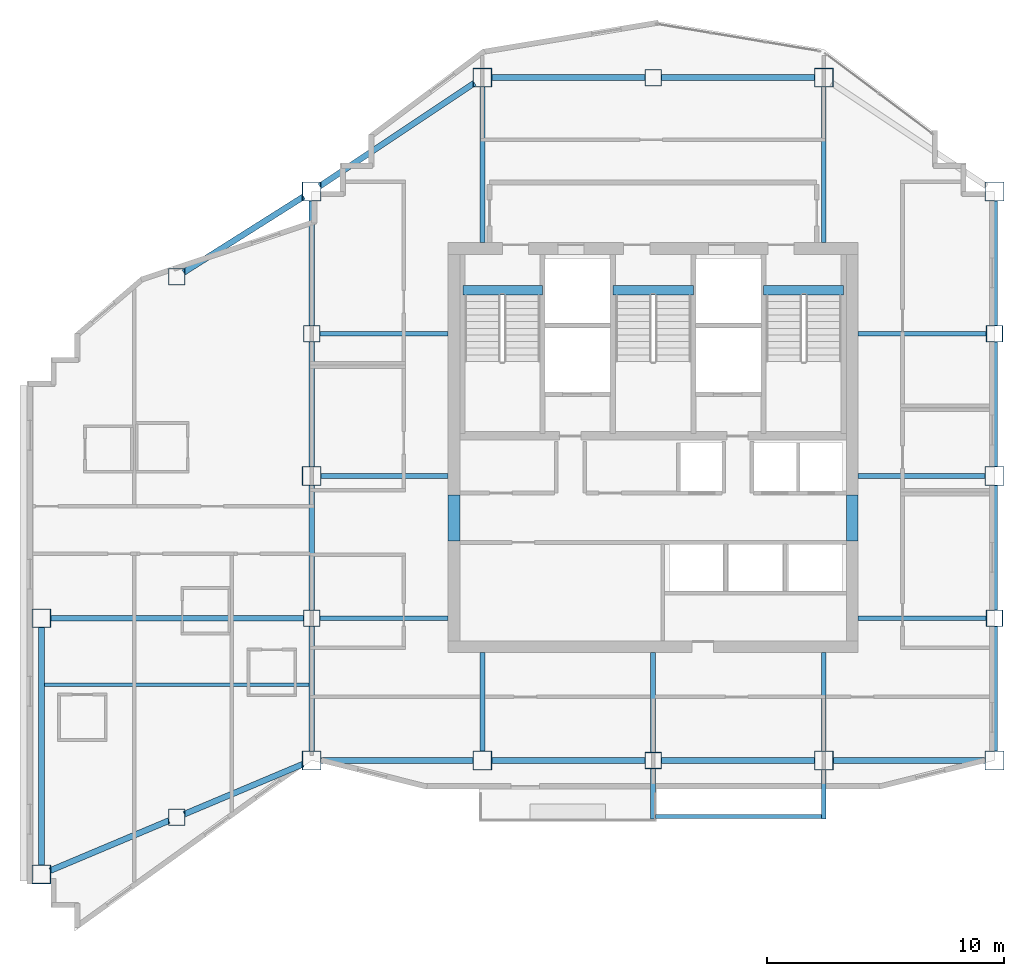
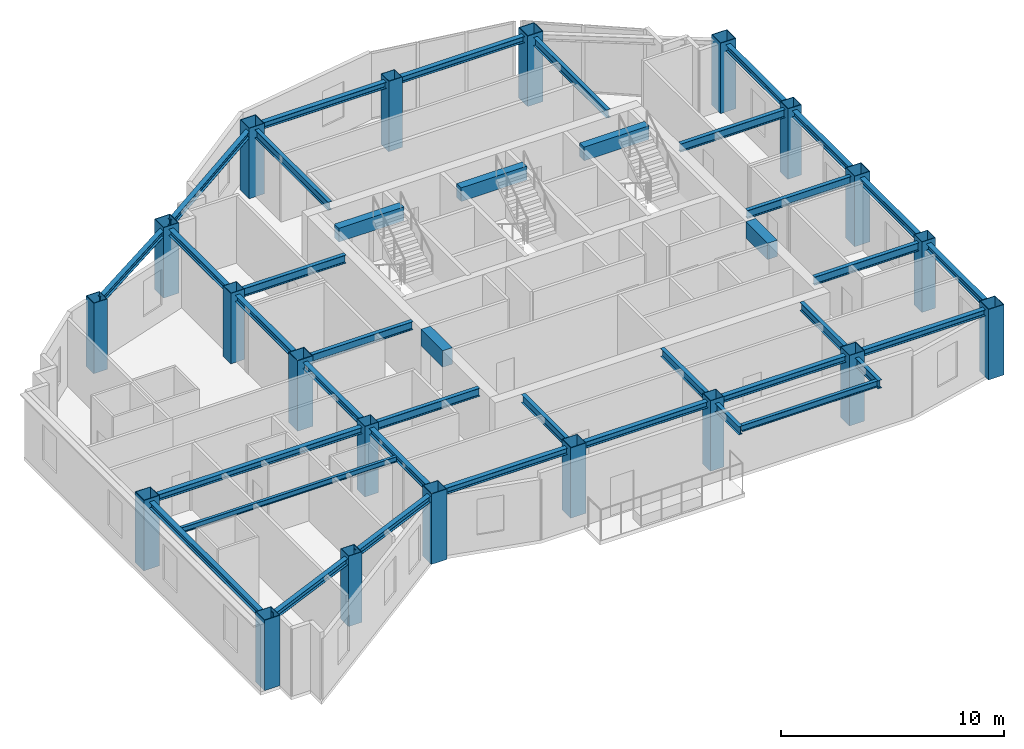
# One storey, part 1 of 10: 40 beams, 20 columns.
"""IFC4 building model written with IfcOpenShell, lengths in metres."""

from ifc_helpers import new_model, si_unit, direction, frame, origin, origin_2d, place, context, subcontext, project, spatial, rectangle, hollow_rectangle, i_section, extrude, material, material_profile, profile_set, type_object, element, save


model = new_model("IFC4")

# Units and contexts
model_context = context("Model", 3, precision=1e-05, world=origin(), true_north=direction((0.0, 1.0)))
body_context = subcontext(model_context, "Body", "Model", "MODEL_VIEW")
ifc_project = project(units=[si_unit("LENGTHUNIT", "METRE"), si_unit("AREAUNIT", "SQUARE_METRE"), si_unit("VOLUMEUNIT", "CUBIC_METRE"), si_unit("PLANEANGLEUNIT", "RADIAN"), si_unit("MASSUNIT", "GRAM", prefix="KILO")], contexts=[model_context])

# Site, building, storey
site_placement = place(None, origin())
site = spatial("IfcSite", under=ifc_project, at=site_placement, CompositionType="ELEMENT")
building_placement = place(site_placement, origin())
building = spatial("IfcBuilding", under=site, at=building_placement, Name="Haolan Belvedere Tower", CompositionType="ELEMENT")
storey_placement = place(building_placement, frame((0.0, 0.0, 266.0)))
storey = spatial("IfcBuildingStorey", under=building, at=storey_placement, Name="L67", CompositionType="ELEMENT", Elevation=266.0)

# Columns
ifc_material_1 = material(Name="Steel Q390GJC", Category="steel")
ifc_material_profile_1 = material_profile(ifc_material_1, hollow_rectangle(XDim=0.699951171875, YDim=0.699951171875, WallThickness=0.02587890625, at=origin_2d()), Name="Steel Q390GJC")
ifc_profile_set_1 = profile_set([ifc_material_profile_1], Name="Steel Q390GJC")
column_type_1 = type_object("IfcColumnType", Name="COL-BOX700x700x26", PredefinedType="COLUMN", material=ifc_profile_set_1)
for number, where, z_axis, x_axis, name in (
    (1, (24.0, 27.60009765625, 0.0), (0.0, 0.0, 1.0), (1.0, 0.0, 0.0), "L67 column TC-T3-W1 (BOX700x700x26)"),
    (2, (24.0, 39.60009765625, 0.0), (0.0, 0.0, 1.0), (1.0, 0.0, 0.0), "L67 column TC-T3-W2 (BOX700x700x26)"),
    (3, (52.800048828125, 27.60009765625, 0.0), (0.0, 0.0, 1.0), (1.0, 0.0, 0.0), "L67 column TC-T3-E1 (BOX700x700x26)"),
    (4, (52.800048828125, 39.60009765625, 0.0), (0.0, 0.0, 1.0), (1.0, 0.0, 0.0), "L67 column TC-T3-E2 (BOX700x700x26)"),
    (5, (38.39990234375, 21.60009765625, 0.0), (0.0, 0.0, 1.0), (1.0, 0.0, 0.0), "L67 column TC-T3-SM (BOX700x700x26)"),
    (6, (38.39990234375, 50.39990234375, 0.0), (0.0, 0.0, 1.0), (1.0, 0.0, 0.0), "L67 column TC-T3-NM (BOX700x700x26)"),
    (7, (18.300048828125, 19.199951171875, 0.0), (0.0, 0.0, 1.0), (1.0, 0.0, 0.0), "L67 column TC-T2-S1 (BOX700x700x26)"),
    (8, (18.300048828125, 42.0, 0.0), (0.0, 0.0, 1.0), (1.0, 0.0, 0.0), "L67 column TC-T2-N1 (BOX700x700x26)"),
):
    element("IfcColumn", number, at=place(storey_placement, frame(where, z_axis=z_axis, x_axis=x_axis)), inside=storey, type_object=column_type_1, Name=name, PredefinedType="COLUMN", context=body_context, shape_type="SweptSolid", body=[
        extrude(hollow_rectangle(XDim=0.699951171875, YDim=0.699951171875, WallThickness=0.02587890625, at=origin_2d()), origin(), (0.0, 0.0, 1.0), 3.85009765625),
    ])
ifc_material_profile_2 = material_profile(ifc_material_1, hollow_rectangle(XDim=0.800048828125, YDim=0.800048828125, WallThickness=0.030029296875, at=origin_2d()), Name="Steel Q390GJC")
ifc_profile_set_2 = profile_set([ifc_material_profile_2], Name="Steel Q390GJC")
column_type_2 = type_object("IfcColumnType", Name="COL-BOX800x800x30", PredefinedType="COLUMN", material=ifc_profile_set_2)
for number, where, z_axis, x_axis, name in (
    (9, (24.0, 21.60009765625, 0.0), (0.0, 0.0, 1.0), (1.0, 0.0, 0.0), "L67 column MC-T3-SW (BOX800x800x30)"),
    (10, (24.0, 33.60009765625, 0.0), (0.0, 0.0, 1.0), (1.0, 0.0, 0.0), "L67 column MC-T3-MW (BOX800x800x30)"),
    (11, (24.0, 45.60009765625, 0.0), (0.0, 0.0, 1.0), (1.0, 0.0, 0.0), "L67 column MC-T3-NW (BOX800x800x30)"),
    (12, (52.800048828125, 21.60009765625, 0.0), (0.0, 0.0, 1.0), (1.0, 0.0, 0.0), "L67 column MC-T3-SE (BOX800x800x30)"),
    (13, (52.800048828125, 33.60009765625, 0.0), (0.0, 0.0, 1.0), (1.0, 0.0, 0.0), "L67 column MC-T3-ME (BOX800x800x30)"),
    (14, (52.800048828125, 45.60009765625, 0.0), (0.0, 0.0, 1.0), (1.0, 0.0, 0.0), "L67 column MC-T3-NE (BOX800x800x30)"),
    (15, (31.199951171875, 21.60009765625, 0.0), (0.0, 0.0, 1.0), (1.0, 0.0, 0.0), "L67 column MC-T3-S1 (BOX800x800x30)"),
    (16, (45.60009765625, 21.60009765625, 0.0), (0.0, 0.0, 1.0), (1.0, 0.0, 0.0), "L67 column MC-T3-S2 (BOX800x800x30)"),
    (17, (31.199951171875, 50.39990234375, 0.0), (0.0, 0.0, 1.0), (1.0, 0.0, 0.0), "L67 column MC-T3-N1 (BOX800x800x30)"),
    (18, (45.60009765625, 50.39990234375, 0.0), (0.0, 0.0, 1.0), (1.0, 0.0, 0.0), "L67 column MC-T3-N2 (BOX800x800x30)"),
    (19, (12.60009765625, 16.800048828125, 0.0), (0.0, 0.0, 1.0), (1.0, 0.0, 0.0), "L67 column MC-T2-SW (BOX800x800x30)"),
    (20, (12.60009765625, 27.60009765625, 0.0), (0.0, 0.0, 1.0), (1.0, 0.0, 0.0), "L67 column MC-T2-MW (BOX800x800x30)"),
):
    element("IfcColumn", number, at=place(storey_placement, frame(where, z_axis=z_axis, x_axis=x_axis)), inside=storey, type_object=column_type_2, Name=name, PredefinedType="COLUMN", context=body_context, shape_type="SweptSolid", body=[
        extrude(hollow_rectangle(XDim=0.800048828125, YDim=0.800048828125, WallThickness=0.030029296875, at=origin_2d()), origin(), (0.0, 0.0, 1.0), 3.85009765625),
    ])

# Beams
ifc_material_2 = material(Name="Steel Q355B", Category="steel")
ifc_material_profile_3 = material_profile(ifc_material_2, i_section(OverallWidth=0.25, OverallDepth=0.340087890625, WebThickness=0.009033203125, FlangeThickness=0.013916015625, FilletRadius=0.02001953125, at=origin_2d()), Name="Steel Q355B")
ifc_profile_set_3 = profile_set([ifc_material_profile_3], Name="Steel Q355B")
beam_type_1 = type_object("IfcBeamType", Name="BM-HM340x250x9x14", PredefinedType="SPANDREL", material=ifc_profile_set_3)
for number, where, z_axis, x_axis, name in (
    (21, (24.0, 22.0, 3.5), (0.0, 1.0, 0.0), (-1.0, 0.0, 0.0), "L67 spandrel girder MC-T3-SW-TC-T3-W1"),
    (22, (24.0, 27.949951171875, 3.5), (0.0, 1.0, 0.0), (-1.0, 0.0, 0.0), "L67 spandrel girder TC-T3-W1-MC-T3-MW"),
    (23, (24.0, 34.0, 3.5), (0.0, 1.0, 0.0), (-1.0, 0.0, 0.0), "L67 spandrel girder MC-T3-MW-TC-T3-W2"),
    (24, (24.0, 39.949951171875, 3.5), (0.0, 1.0, 0.0), (-1.0, 0.0, 0.0), "L67 spandrel girder TC-T3-W2-MC-T3-NW"),
    (25, (52.800048828125, 22.0, 3.5), (0.0, 1.0, 0.0), (-1.0, 0.0, 0.0), "L67 spandrel girder MC-T3-SE-TC-T3-E1"),
    (26, (52.800048828125, 27.949951171875, 3.5), (0.0, 1.0, 0.0), (-1.0, 0.0, 0.0), "L67 spandrel girder TC-T3-E1-MC-T3-ME"),
    (27, (52.800048828125, 34.0, 3.5), (0.0, 1.0, 0.0), (-1.0, 0.0, 0.0), "L67 spandrel girder MC-T3-ME-TC-T3-E2"),
    (28, (52.800048828125, 39.949951171875, 3.5), (0.0, 1.0, 0.0), (-1.0, 0.0, 0.0), "L67 spandrel girder TC-T3-E2-MC-T3-NE"),
):
    element("IfcBeam", number, at=place(storey_placement, frame(where, z_axis=z_axis, x_axis=x_axis)), inside=storey, type_object=beam_type_1, Name=name, PredefinedType="SPANDREL", context=body_context, shape_type="SweptSolid", body=[
        extrude(i_section(OverallWidth=0.25, OverallDepth=0.340087890625, WebThickness=0.009033203125, FlangeThickness=0.013916015625, FilletRadius=0.02001953125, at=origin_2d()), origin(), (0.0, 0.0, 1.0), 5.25),
    ])
beam_1_placement = place(storey_placement, frame((24.39990234375, 21.60009765625, 3.5), z_axis=(1.0, 0.0, 0.0), x_axis=(0.0, 1.0, 0.0)))
element("IfcBeam", 29, at=beam_1_placement, inside=storey, type_object=beam_type_1, Name="L67 spandrel girder MC-T3-SW-MC-T3-S1", PredefinedType="SPANDREL", context=body_context, shape_type="SweptSolid", body=[
    extrude(i_section(OverallWidth=0.25, OverallDepth=0.340087890625, WebThickness=0.009033203125, FlangeThickness=0.013916015625, FilletRadius=0.02001953125, at=origin_2d()), origin(), (0.0, 0.0, 1.0), 6.400146484375),
])
for number, where, z_axis, x_axis, name in (
    (30, (31.60009765625, 21.60009765625, 3.5), (1.0, 0.0, 0.0), (0.0, 1.0, 0.0), "L67 spandrel girder MC-T3-S1-TC-T3-SM"),
    (31, (38.75, 21.60009765625, 3.5), (1.0, 0.0, 0.0), (0.0, 1.0, 0.0), "L67 spandrel girder TC-T3-SM-MC-T3-S2"),
):
    element("IfcBeam", number, at=place(storey_placement, frame(where, z_axis=z_axis, x_axis=x_axis)), inside=storey, type_object=beam_type_1, Name=name, PredefinedType="SPANDREL", context=body_context, shape_type="SweptSolid", body=[
        extrude(i_section(OverallWidth=0.25, OverallDepth=0.340087890625, WebThickness=0.009033203125, FlangeThickness=0.013916015625, FilletRadius=0.02001953125, at=origin_2d()), origin(), (0.0, 0.0, 1.0), 6.449951171875),
    ])
beam_2_placement = place(storey_placement, frame((46.0, 21.60009765625, 3.5), z_axis=(1.0, 0.0, 0.0), x_axis=(0.0, 1.0, 0.0)))
element("IfcBeam", 32, at=beam_2_placement, inside=storey, type_object=beam_type_1, Name="L67 spandrel girder MC-T3-S2-MC-T3-SE", PredefinedType="SPANDREL", context=body_context, shape_type="SweptSolid", body=[
    extrude(i_section(OverallWidth=0.25, OverallDepth=0.340087890625, WebThickness=0.009033203125, FlangeThickness=0.013916015625, FilletRadius=0.02001953125, at=origin_2d()), origin(), (0.0, 0.0, 1.0), 6.39990234375),
])
beam_3_placement = place(storey_placement, frame((24.332763671875, 45.82177734375, 3.5), z_axis=(0.832040729016, 0.55471454394, 0.0), x_axis=(-0.55471454394, 0.832040729016, 0.0)))
element("IfcBeam", 33, at=beam_3_placement, inside=storey, type_object=beam_type_1, Name="L67 spandrel girder MC-T3-NW-MC-T3-N1", PredefinedType="SPANDREL", context=body_context, shape_type="SweptSolid", body=[
    extrude(i_section(OverallWidth=0.25, OverallDepth=0.340087890625, WebThickness=0.009033203125, FlangeThickness=0.013916015625, FilletRadius=0.02001953125, at=origin_2d()), origin(), (0.0, 0.0, 1.0), 7.853515625),
])
for number, where, z_axis, x_axis, name in (
    (34, (31.60009765625, 50.39990234375, 3.5), (1.0, 0.0, 0.0), (0.0, 1.0, 0.0), "L67 spandrel girder MC-T3-N1-TC-T3-NM"),
    (35, (38.75, 50.39990234375, 3.5), (1.0, 0.0, 0.0), (0.0, 1.0, 0.0), "L67 spandrel girder TC-T3-NM-MC-T3-N2"),
):
    element("IfcBeam", number, at=place(storey_placement, frame(where, z_axis=z_axis, x_axis=x_axis)), inside=storey, type_object=beam_type_1, Name=name, PredefinedType="SPANDREL", context=body_context, shape_type="SweptSolid", body=[
        extrude(i_section(OverallWidth=0.25, OverallDepth=0.340087890625, WebThickness=0.009033203125, FlangeThickness=0.013916015625, FilletRadius=0.02001953125, at=origin_2d()), origin(), (0.0, 0.0, 1.0), 6.449951171875),
    ])
beam_4_placement = place(storey_placement, frame((12.60009765625, 17.199951171875, 3.5), z_axis=(0.0, 1.0, 0.0), x_axis=(-1.0, 0.0, 0.0)))
element("IfcBeam", 36, at=beam_4_placement, inside=storey, type_object=beam_type_1, Name="L67 spandrel girder MC-T2-SW-MC-T2-MW", PredefinedType="SPANDREL", context=body_context, shape_type="SweptSolid", body=[
    extrude(i_section(OverallWidth=0.25, OverallDepth=0.340087890625, WebThickness=0.009033203125, FlangeThickness=0.013916015625, FilletRadius=0.02001953125, at=origin_2d()), origin(), (0.0, 0.0, 1.0), 10.0),
])
for number, where, z_axis, x_axis, name in (
    (37, (12.96875, 16.955322265625, 3.5), (0.921640448717, 0.388044950088, 0.0), (-0.388044950088, 0.921640448717, 0.0), "L67 spandrel girder MC-T2-SW-TC-T2-S1"),
    (38, (18.62255859375, 19.3359375, 3.5), (0.921640448717, 0.388044950088, 0.0), (-0.388044950088, 0.921640448717, 0.0), "L67 spandrel girder TC-T2-S1-MC-T3-SW"),
):
    element("IfcBeam", number, at=place(storey_placement, frame(where, z_axis=z_axis, x_axis=x_axis)), inside=storey, type_object=beam_type_1, Name=name, PredefinedType="SPANDREL", context=body_context, shape_type="SweptSolid", body=[
        extrude(i_section(OverallWidth=0.25, OverallDepth=0.340087890625, WebThickness=0.009033203125, FlangeThickness=0.013916015625, FilletRadius=0.02001953125, at=origin_2d()), origin(), (0.0, 0.0, 1.0), 5.4345703125),
    ])
beam_5_placement = place(storey_placement, frame((18.595947265625, 42.18701171875, 3.5), z_axis=(0.845493744187, 0.533985326148, 0.0), x_axis=(-0.533985326148, 0.845493744187, 0.0)))
element("IfcBeam", 39, at=beam_5_placement, inside=storey, type_object=beam_type_1, Name="L67 spandrel girder TC-T2-N1-MC-T3-NW", PredefinedType="SPANDREL", context=body_context, shape_type="SweptSolid", body=[
    extrude(i_section(OverallWidth=0.25, OverallDepth=0.340087890625, WebThickness=0.009033203125, FlangeThickness=0.013916015625, FilletRadius=0.02001953125, at=origin_2d()), origin(), (0.0, 0.0, 1.0), 5.99169921875),
])
beam_6_placement = place(storey_placement, frame((13.0, 27.60009765625, 3.5), z_axis=(1.0, 0.0, 0.0), x_axis=(0.0, 1.0, 0.0)))
element("IfcBeam", 40, at=beam_6_placement, inside=storey, type_object=beam_type_1, Name="L67 spandrel girder MC-T2-MW-TC-T3-W1", PredefinedType="SPANDREL", context=body_context, shape_type="SweptSolid", body=[
    extrude(i_section(OverallWidth=0.25, OverallDepth=0.340087890625, WebThickness=0.009033203125, FlangeThickness=0.013916015625, FilletRadius=0.02001953125, at=origin_2d()), origin(), (0.0, 0.0, 1.0), 10.64990234375),
])
ifc_material_profile_4 = material_profile(ifc_material_2, i_section(OverallWidth=0.14990234375, OverallDepth=0.300048828125, WebThickness=0.006591796875, FlangeThickness=0.009033203125, FilletRadius=0.012939453125, at=origin_2d()), Name="Steel Q355B")
ifc_profile_set_4 = profile_set([ifc_material_profile_4], Name="Steel Q355B")
beam_type_2 = type_object("IfcBeamType", Name="BM-HN300x150x6.5x9", PredefinedType="JOIST", material=ifc_profile_set_4)
beam_7_placement = place(storey_placement, frame((12.72509765625, 24.800048828125, 3.52001953125), z_axis=(1.0, 0.0, 0.0), x_axis=(0.0, 1.0, 0.0)))
element("IfcBeam", 41, at=beam_7_placement, inside=storey, type_object=beam_type_2, Name="L67 west wing floor joist 1", PredefinedType="JOIST", context=body_context, shape_type="SweptSolid", body=[
    extrude(i_section(OverallWidth=0.14990234375, OverallDepth=0.300048828125, WebThickness=0.006591796875, FlangeThickness=0.009033203125, FilletRadius=0.012939453125, at=origin_2d()), origin(), (0.0, 0.0, 1.0), 11.14990234375),
])
ifc_material_profile_5 = material_profile(ifc_material_2, i_section(OverallWidth=0.175048828125, OverallDepth=0.35009765625, WebThickness=0.007080078125, FlangeThickness=0.010986328125, FilletRadius=0.012939453125, at=origin_2d()), Name="Steel Q355B")
ifc_profile_set_5 = profile_set([ifc_material_profile_5], Name="Steel Q355B")
beam_type_3 = type_object("IfcBeamType", Name="BM-HN350x175x7x11", PredefinedType="JOIST", material=ifc_profile_set_5)
beam_8_placement = place(storey_placement, frame((38.5, 19.239990234375, 3.445068359375), z_axis=(1.0, 0.0, 0.0), x_axis=(0.0, 1.0, 0.0)))
element("IfcBeam", 42, at=beam_8_placement, inside=storey, type_object=beam_type_3, Name="L68 tree-balcony front trimmer beam 1", PredefinedType="BEAM", context=body_context, shape_type="SweptSolid", body=[
    extrude(i_section(OverallWidth=0.175048828125, OverallDepth=0.35009765625, WebThickness=0.007080078125, FlangeThickness=0.010986328125, FilletRadius=0.012939453125, at=origin_2d()), origin(), (0.0, 0.0, 1.0), 7.0),
])
ifc_material_profile_6 = material_profile(ifc_material_2, i_section(OverallWidth=0.199951171875, OverallDepth=0.449951171875, WebThickness=0.009033203125, FlangeThickness=0.013916015625, FilletRadius=0.01611328125, at=origin_2d()), Name="Steel Q355B")
ifc_profile_set_6 = profile_set([ifc_material_profile_6], Name="Steel Q355B")
beam_type_4 = type_object("IfcBeamType", Name="BM-HN450x200x9x14", PredefinedType="BEAM", material=ifc_profile_set_6)
beam_9_placement = place(storey_placement, frame((24.39990234375, 33.60009765625, 3.445068359375), z_axis=(1.0, 0.0, 0.0), x_axis=(0.0, 1.0, 0.0)))
element("IfcBeam", 43, at=beam_9_placement, inside=storey, type_object=beam_type_4, Name="L67 core tie beam from MC-T3-MW", PredefinedType="BEAM", context=body_context, shape_type="SweptSolid", body=[
    extrude(i_section(OverallWidth=0.199951171875, OverallDepth=0.449951171875, WebThickness=0.009033203125, FlangeThickness=0.013916015625, FilletRadius=0.01611328125, at=origin_2d()), origin(), (0.0, 0.0, 1.0), 5.35009765625),
])
for number, where, z_axis, x_axis, name in (
    (44, (24.35009765625, 27.60009765625, 3.445068359375), (1.0, 0.0, 0.0), (0.0, 1.0, 0.0), "L67 core tie beam from TC-T3-W1"),
    (45, (24.35009765625, 39.60009765625, 3.445068359375), (1.0, 0.0, 0.0), (0.0, 1.0, 0.0), "L67 core tie beam from TC-T3-W2"),
):
    element("IfcBeam", number, at=place(storey_placement, frame(where, z_axis=z_axis, x_axis=x_axis)), inside=storey, type_object=beam_type_4, Name=name, PredefinedType="BEAM", context=body_context, shape_type="SweptSolid", body=[
        extrude(i_section(OverallWidth=0.199951171875, OverallDepth=0.449951171875, WebThickness=0.009033203125, FlangeThickness=0.013916015625, FilletRadius=0.01611328125, at=origin_2d()), origin(), (0.0, 0.0, 1.0), 5.39990234375),
    ])
beam_10_placement = place(storey_placement, frame((52.39990234375, 33.60009765625, 3.445068359375), z_axis=(-1.0, 0.0, 0.0), x_axis=(0.0, -1.0, 0.0)))
element("IfcBeam", 46, at=beam_10_placement, inside=storey, type_object=beam_type_4, Name="L67 core tie beam from MC-T3-ME", PredefinedType="BEAM", context=body_context, shape_type="SweptSolid", body=[
    extrude(i_section(OverallWidth=0.199951171875, OverallDepth=0.449951171875, WebThickness=0.009033203125, FlangeThickness=0.013916015625, FilletRadius=0.01611328125, at=origin_2d()), origin(), (0.0, 0.0, 1.0), 5.349853515625),
])
for number, where, z_axis, x_axis, name in (
    (47, (52.449951171875, 27.60009765625, 3.445068359375), (-1.0, 0.0, 0.0), (0.0, -1.0, 0.0), "L67 core tie beam from TC-T3-E1"),
    (48, (52.449951171875, 39.60009765625, 3.445068359375), (-1.0, 0.0, 0.0), (0.0, -1.0, 0.0), "L67 core tie beam from TC-T3-E2"),
):
    element("IfcBeam", number, at=place(storey_placement, frame(where, z_axis=z_axis, x_axis=x_axis)), inside=storey, type_object=beam_type_4, Name=name, PredefinedType="BEAM", context=body_context, shape_type="SweptSolid", body=[
        extrude(i_section(OverallWidth=0.199951171875, OverallDepth=0.449951171875, WebThickness=0.009033203125, FlangeThickness=0.013916015625, FilletRadius=0.01611328125, at=origin_2d()), origin(), (0.0, 0.0, 1.0), 5.39990234375),
    ])
beam_11_placement = place(storey_placement, frame((31.199951171875, 22.0, 3.445068359375), z_axis=(0.0, 1.0, 0.0), x_axis=(-1.0, 0.0, 0.0)))
element("IfcBeam", 49, at=beam_11_placement, inside=storey, type_object=beam_type_4, Name="L67 core tie beam from MC-T3-S1", PredefinedType="BEAM", context=body_context, shape_type="SweptSolid", body=[
    extrude(i_section(OverallWidth=0.199951171875, OverallDepth=0.449951171875, WebThickness=0.009033203125, FlangeThickness=0.013916015625, FilletRadius=0.01611328125, at=origin_2d()), origin(), (0.0, 0.0, 1.0), 4.14990234375),
])
beam_12_placement = place(storey_placement, frame((38.39990234375, 21.949951171875, 3.445068359375), z_axis=(0.0, 1.0, 0.0), x_axis=(-1.0, 0.0, 0.0)))
element("IfcBeam", 50, at=beam_12_placement, inside=storey, type_object=beam_type_4, Name="L67 core tie beam from TC-T3-SM", PredefinedType="BEAM", context=body_context, shape_type="SweptSolid", body=[
    extrude(i_section(OverallWidth=0.199951171875, OverallDepth=0.449951171875, WebThickness=0.009033203125, FlangeThickness=0.013916015625, FilletRadius=0.01611328125, at=origin_2d()), origin(), (0.0, 0.0, 1.0), 4.199951171875),
])
beam_13_placement = place(storey_placement, frame((45.60009765625, 22.0, 3.445068359375), z_axis=(0.0, 1.0, 0.0), x_axis=(-1.0, 0.0, 0.0)))
element("IfcBeam", 51, at=beam_13_placement, inside=storey, type_object=beam_type_4, Name="L67 core tie beam from MC-T3-S2", PredefinedType="BEAM", context=body_context, shape_type="SweptSolid", body=[
    extrude(i_section(OverallWidth=0.199951171875, OverallDepth=0.449951171875, WebThickness=0.009033203125, FlangeThickness=0.013916015625, FilletRadius=0.01611328125, at=origin_2d()), origin(), (0.0, 0.0, 1.0), 4.14990234375),
])
for number, where, z_axis, x_axis, name in (
    (52, (31.199951171875, 50.0, 3.445068359375), (0.0, -1.0, 0.0), (1.0, 0.0, 0.0), "L67 core tie beam from MC-T3-N1"),
    (53, (45.60009765625, 50.0, 3.445068359375), (0.0, -1.0, 0.0), (1.0, 0.0, 0.0), "L67 core tie beam from MC-T3-N2"),
):
    element("IfcBeam", number, at=place(storey_placement, frame(where, z_axis=z_axis, x_axis=x_axis)), inside=storey, type_object=beam_type_4, Name=name, PredefinedType="BEAM", context=body_context, shape_type="SweptSolid", body=[
        extrude(i_section(OverallWidth=0.199951171875, OverallDepth=0.449951171875, WebThickness=0.009033203125, FlangeThickness=0.013916015625, FilletRadius=0.01611328125, at=origin_2d()), origin(), (0.0, 0.0, 1.0), 6.550048828125),
    ])
beam_14_placement = place(storey_placement, frame((38.39990234375, 21.25, 3.39501953125), z_axis=(0.0, -1.0, 0.0), x_axis=(1.0, 0.0, 0.0)))
element("IfcBeam", 54, at=beam_14_placement, inside=storey, type_object=beam_type_4, Name="L68 tree-balcony column cantilever TC-T3-SM", PredefinedType="BEAM", context=body_context, shape_type="SweptSolid", body=[
    extrude(i_section(OverallWidth=0.199951171875, OverallDepth=0.449951171875, WebThickness=0.009033203125, FlangeThickness=0.013916015625, FilletRadius=0.01611328125, at=origin_2d()), origin(), (0.0, 0.0, 1.0), 2.110107421875),
])
beam_15_placement = place(storey_placement, frame((45.60009765625, 21.199951171875, 3.39501953125), z_axis=(0.0, -1.0, 0.0), x_axis=(1.0, 0.0, 0.0)))
element("IfcBeam", 55, at=beam_15_placement, inside=storey, type_object=beam_type_4, Name="L68 tree-balcony column cantilever MC-T3-S2", PredefinedType="BEAM", context=body_context, shape_type="SweptSolid", body=[
    extrude(i_section(OverallWidth=0.199951171875, OverallDepth=0.449951171875, WebThickness=0.009033203125, FlangeThickness=0.013916015625, FilletRadius=0.01611328125, at=origin_2d()), origin(), (0.0, 0.0, 1.0), 2.06005859375),
])
ifc_material_3 = material(Name="Concrete C50/60", Category="concrete")
ifc_material_profile_7 = material_profile(ifc_material_3, rectangle(XDim=0.39990234375, YDim=0.75, at=origin_2d()), Name="Concrete C50/60")
ifc_profile_set_7 = profile_set([ifc_material_profile_7], Name="Concrete C50/60")
beam_type_5 = type_object("IfcBeamType", Name="BM-RC400x750", PredefinedType="T_BEAM", material=ifc_profile_set_7)
beam_16_placement = place(storey_placement, frame((30.3798828125, 41.429931640625, 3.47509765625), z_axis=(1.0, 0.0, 0.0), x_axis=(0.0, 1.0, 0.0)))
element("IfcBeam", 56, at=beam_16_placement, inside=storey, type_object=beam_type_5, Name="L68 stair ST1 RC header trimmer beam", PredefinedType="BEAM", context=body_context, shape_type="SweptSolid", body=[
    extrude(rectangle(XDim=0.39990234375, YDim=0.75, at=origin_2d()), origin(), (0.0, 0.0, 1.0), 3.360107421875),
])
beam_17_placement = place(storey_placement, frame((36.699951171875, 41.429931640625, 3.47509765625), z_axis=(1.0, 0.0, 0.0), x_axis=(0.0, 1.0, 0.0)))
element("IfcBeam", 57, at=beam_17_placement, inside=storey, type_object=beam_type_5, Name="L68 stair ST3 RC header trimmer beam", PredefinedType="BEAM", context=body_context, shape_type="SweptSolid", body=[
    extrude(rectangle(XDim=0.39990234375, YDim=0.75, at=origin_2d()), origin(), (0.0, 0.0, 1.0), 3.400146484375),
])
beam_18_placement = place(storey_placement, frame((43.06005859375, 41.429931640625, 3.47509765625), z_axis=(1.0, 0.0, 0.0), x_axis=(0.0, 1.0, 0.0)))
element("IfcBeam", 58, at=beam_18_placement, inside=storey, type_object=beam_type_5, Name="L68 stair ST2 RC header trimmer beam", PredefinedType="BEAM", context=body_context, shape_type="SweptSolid", body=[
    extrude(rectangle(XDim=0.39990234375, YDim=0.75, at=origin_2d()), origin(), (0.0, 0.0, 1.0), 3.35986328125),
])
ifc_material_4 = material(Name="Concrete C60/75", Category="concrete")
ifc_material_profile_8 = material_profile(ifc_material_4, rectangle(XDim=0.5, YDim=0.89990234375, at=origin_2d()), Name="Concrete C60/75")
ifc_profile_set_8 = profile_set([ifc_material_profile_8], Name="Concrete C60/75")
beam_type_6 = type_object("IfcBeamType", Name="BM-RC500x900", PredefinedType="LINTEL", material=ifc_profile_set_8)
for number, where, z_axis, x_axis, name in (
    (59, (30.0, 30.85009765625, 3.219970703125), (0.0, 1.0, 0.0), (-1.0, 0.0, 0.0), "L67 west core coupling beam CB-01"),
    (60, (46.800048828125, 30.85009765625, 3.219970703125), (0.0, 1.0, 0.0), (-1.0, 0.0, 0.0), "L67 east core coupling beam CB-01"),
):
    element("IfcBeam", number, at=place(storey_placement, frame(where, z_axis=z_axis, x_axis=x_axis)), inside=storey, type_object=beam_type_6, Name=name, PredefinedType="LINTEL", context=body_context, shape_type="SweptSolid", body=[
        extrude(rectangle(XDim=0.5, YDim=0.89990234375, at=origin_2d()), origin(), (0.0, 0.0, 1.0), 1.949951171875),
    ])

save(model, "model.ifc")
